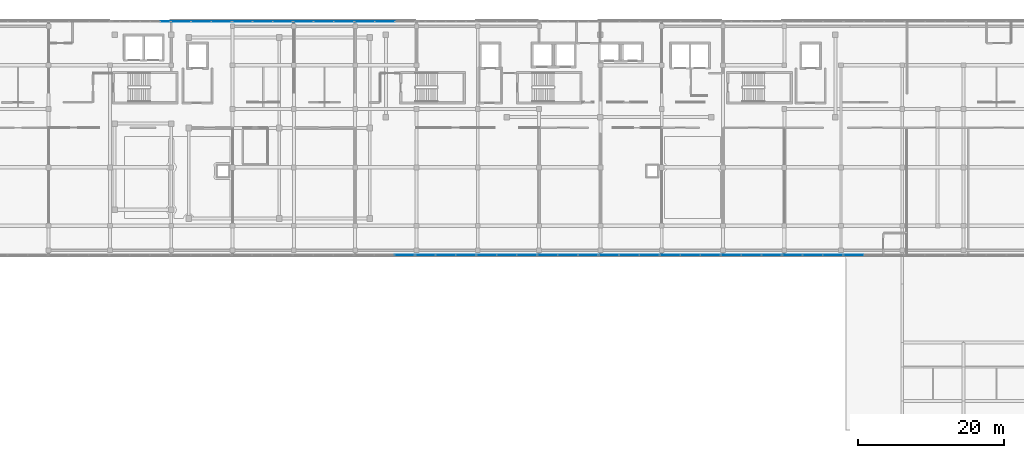
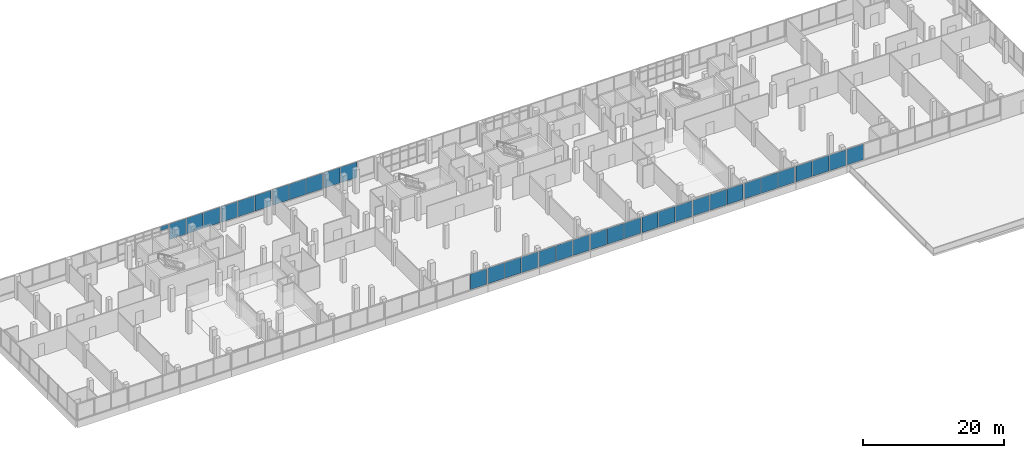
# One storey, part 62 of 76: 35 plates, 14 elements without a shape of their own.
"""IFC4 building model written with IfcOpenShell, lengths in metres."""

from ifc_helpers import new_model, si_unit, direction, frame, origin, origin_2d, place, context, subcontext, project, spatial, rectangle, extrude, material, layer, layer_set, type_object, element, aggregate, save


model = new_model("IFC4")

# Units and contexts
model_context = context("Model", 3, precision=1e-05, world=origin(), true_north=direction((0.0, 1.0)))
body_context = subcontext(model_context, "Body", "Model", "MODEL_VIEW")
ifc_project = project(units=[si_unit("LENGTHUNIT", "METRE"), si_unit("AREAUNIT", "SQUARE_METRE"), si_unit("VOLUMEUNIT", "CUBIC_METRE"), si_unit("PLANEANGLEUNIT", "RADIAN"), si_unit("MASSUNIT", "GRAM", prefix="KILO")], contexts=[model_context])

# Site, building, storey
site_placement = place(None, origin())
site = spatial("IfcSite", under=ifc_project, at=site_placement, CompositionType="ELEMENT")
building_placement = place(site_placement, origin())
building = spatial("IfcBuilding", under=site, at=building_placement, Name="Selatvlak General Hospital", CompositionType="ELEMENT")
storey_placement = place(building_placement, frame((0.0, 0.0, 27.300048828125)))
storey = spatial("IfcBuildingStorey", under=building, at=storey_placement, Name="L06", CompositionType="ELEMENT", Elevation=27.300048828125)

# Curtain wall, plate
ifc_material = material(Name="Solar-control Low-E double glazing", Category="glass")
curtain_wall_type_1 = type_object("IfcCurtainWallType", Name="CW-CW-04", PredefinedType="USERDEFINED", material=ifc_material)
curtain_wall_1_placement = place(storey_placement, origin())
curtain_wall_1 = element("IfcCurtainWall", 1, at=curtain_wall_1_placement, inside=storey, type_object=curtain_wall_type_1, Name="Glazed facade curtain wall CW-L06-0601", ObjectType="STICK GLAZING WALL", PredefinedType="USERDEFINED")
ifc_layer = layer(ifc_material, 0.028076171875, Name="Solar-control Low-E double glazing", Category="glass")
ifc_layer_set = layer_set([ifc_layer], Name="Solar-control Low-E double glazing")
plate_type = type_object("IfcPlateType", Name="CWP-01", PredefinedType="CURTAIN_PANEL", material=ifc_layer_set)
plate_1_placement = place(storey_placement, frame((55.589111328125, 119.9990234375, 3.0126953125), z_axis=(0.0, 0.0, 1.0), x_axis=(1.0, 0.0, 0.0)))
plate_1 = element("IfcPlate", 2, at=plate_1_placement, type_object=plate_type, Name="CW-04 panel 6.3", PredefinedType="CURTAIN_PANEL", context=body_context, shape_type="SweptSolid", body=[
    extrude(rectangle(XDim=1.2939453125, YDim=0.028076171875, at=origin_2d()), origin(), (0.0, 0.0, 1.0), 0.702392578125),
])
aggregate(curtain_wall_1, [plate_1])

# Curtain wall, plates
curtain_wall_type_2 = type_object("IfcCurtainWallType", Name="CW-CW-02", PredefinedType="USERDEFINED", material=ifc_material)
curtain_wall_2_placement = place(storey_placement, origin())
curtain_wall_2 = element("IfcCurtainWall", 3, at=curtain_wall_2_placement, inside=storey, type_object=curtain_wall_type_2, Name="Glazed facade curtain wall CW-L06-0602", ObjectType="UNITISED CURTAIN WALL", PredefinedType="USERDEFINED")
plate_2_placement = place(storey_placement, frame((57.738525390625, 119.9990234375, 1.0048828125), z_axis=(0.0, 0.0, 1.0), x_axis=(1.0, 0.0, 0.0)))
plate_2 = element("IfcPlate", 4, at=plate_2_placement, type_object=plate_type, Name="CW-02 panel 1.1", PredefinedType="CURTAIN_PANEL", context=body_context, shape_type="SweptSolid", body=[
    extrude(rectangle(XDim=2.68505859375, YDim=0.028076171875, at=origin_2d()), origin(), (0.0, 0.0, 1.0), 2.7099609375),
])
plate_3_placement = place(storey_placement, frame((60.5048828125, 119.9990234375, 1.0048828125), z_axis=(0.0, 0.0, 1.0), x_axis=(1.0, 0.0, 0.0)))
plate_3 = element("IfcPlate", 5, at=plate_3_placement, type_object=plate_type, Name="CW-02 panel 2.1", PredefinedType="CURTAIN_PANEL", context=body_context, shape_type="SweptSolid", body=[
    extrude(rectangle(XDim=2.7177734375, YDim=0.028076171875, at=origin_2d()), origin(), (0.0, 0.0, 1.0), 2.7099609375),
])
plate_4_placement = place(storey_placement, frame((63.271484375, 119.9990234375, 1.0048828125), z_axis=(0.0, 0.0, 1.0), x_axis=(1.0, 0.0, 0.0)))
plate_4 = element("IfcPlate", 6, at=plate_4_placement, type_object=plate_type, Name="CW-02 panel 3.1", PredefinedType="CURTAIN_PANEL", context=body_context, shape_type="SweptSolid", body=[
    extrude(rectangle(XDim=2.68505859375, YDim=0.028076171875, at=origin_2d()), origin(), (0.0, 0.0, 1.0), 2.7099609375),
])
aggregate(curtain_wall_2, [plate_2, plate_3, plate_4])

curtain_wall_type_3 = type_object("IfcCurtainWallType", Name="CW-CW-01", PredefinedType="USERDEFINED", material=ifc_material)
curtain_wall_3_placement = place(storey_placement, origin())
curtain_wall_3 = element("IfcCurtainWall", 7, at=curtain_wall_3_placement, inside=storey, type_object=curtain_wall_type_3, Name="Glazed facade curtain wall CW-L06-0603", ObjectType="UNITISED CURTAIN WALL", PredefinedType="USERDEFINED")
plate_5_placement = place(storey_placement, frame((66.158447265625, 119.9990234375, 1.0048828125), z_axis=(0.0, 0.0, 1.0), x_axis=(1.0, 0.0, 0.0)))
plate_5 = element("IfcPlate", 8, at=plate_5_placement, type_object=plate_type, Name="CW-01 panel 1.1", PredefinedType="CURTAIN_PANEL", context=body_context, shape_type="SweptSolid", body=[
    extrude(rectangle(XDim=2.6689453125, YDim=0.028076171875, at=origin_2d()), origin(), (0.0, 0.0, 1.0), 2.7099609375),
])
plate_6_placement = place(storey_placement, frame((68.908447265625, 119.9990234375, 1.0048828125), z_axis=(0.0, 0.0, 1.0), x_axis=(1.0, 0.0, 0.0)))
plate_6 = element("IfcPlate", 9, at=plate_6_placement, type_object=plate_type, Name="CW-01 panel 2.1", PredefinedType="CURTAIN_PANEL", context=body_context, shape_type="SweptSolid", body=[
    extrude(rectangle(XDim=2.701416015625, YDim=0.028076171875, at=origin_2d()), origin(), (0.0, 0.0, 1.0), 2.7099609375),
])
plate_7_placement = place(storey_placement, frame((71.65869140625, 119.9990234375, 1.0048828125), z_axis=(0.0, 0.0, 1.0), x_axis=(1.0, 0.0, 0.0)))
plate_7 = element("IfcPlate", 10, at=plate_7_placement, type_object=plate_type, Name="CW-01 panel 3.1", PredefinedType="CURTAIN_PANEL", context=body_context, shape_type="SweptSolid", body=[
    extrude(rectangle(XDim=2.6689453125, YDim=0.028076171875, at=origin_2d()), origin(), (0.0, 0.0, 1.0), 2.7099609375),
])
aggregate(curtain_wall_3, [plate_5, plate_6, plate_7])

curtain_wall_4_placement = place(storey_placement, origin())
curtain_wall_4 = element("IfcCurtainWall", 11, at=curtain_wall_4_placement, inside=storey, type_object=curtain_wall_type_2, Name="Glazed facade curtain wall CW-L06-0604", ObjectType="UNITISED CURTAIN WALL", PredefinedType="USERDEFINED")
plate_8_placement = place(storey_placement, frame((74.537353515625, 119.9990234375, 1.0048828125), z_axis=(0.0, 0.0, 1.0), x_axis=(1.0, 0.0, 0.0)))
plate_8 = element("IfcPlate", 12, at=plate_8_placement, type_object=plate_type, Name="CW-02 panel 1.1", PredefinedType="CURTAIN_PANEL", context=body_context, shape_type="SweptSolid", body=[
    extrude(rectangle(XDim=2.6689453125, YDim=0.028076171875, at=origin_2d()), origin(), (0.0, 0.0, 1.0), 2.7099609375),
])
plate_9_placement = place(storey_placement, frame((77.28759765625, 119.9990234375, 1.0048828125), z_axis=(0.0, 0.0, 1.0), x_axis=(1.0, 0.0, 0.0)))
plate_9 = element("IfcPlate", 13, at=plate_9_placement, type_object=plate_type, Name="CW-02 panel 2.1", PredefinedType="CURTAIN_PANEL", context=body_context, shape_type="SweptSolid", body=[
    extrude(rectangle(XDim=2.701416015625, YDim=0.028076171875, at=origin_2d()), origin(), (0.0, 0.0, 1.0), 2.7099609375),
])
plate_10_placement = place(storey_placement, frame((80.03759765625, 119.9990234375, 1.0048828125), z_axis=(0.0, 0.0, 1.0), x_axis=(1.0, 0.0, 0.0)))
plate_10 = element("IfcPlate", 14, at=plate_10_placement, type_object=plate_type, Name="CW-02 panel 3.1", PredefinedType="CURTAIN_PANEL", context=body_context, shape_type="SweptSolid", body=[
    extrude(rectangle(XDim=2.6689453125, YDim=0.028076171875, at=origin_2d()), origin(), (0.0, 0.0, 1.0), 2.7099609375),
])
aggregate(curtain_wall_4, [plate_8, plate_9, plate_10])

curtain_wall_5_placement = place(storey_placement, origin())
curtain_wall_5 = element("IfcCurtainWall", 15, at=curtain_wall_5_placement, inside=storey, type_object=curtain_wall_type_3, Name="Glazed facade curtain wall CW-L06-0605", ObjectType="UNITISED CURTAIN WALL", PredefinedType="USERDEFINED")
plate_11_placement = place(storey_placement, frame((82.91650390625, 119.9990234375, 1.0048828125), z_axis=(0.0, 0.0, 1.0), x_axis=(1.0, 0.0, 0.0)))
plate_11 = element("IfcPlate", 16, at=plate_11_placement, type_object=plate_type, Name="CW-01 panel 1.1", PredefinedType="CURTAIN_PANEL", context=body_context, shape_type="SweptSolid", body=[
    extrude(rectangle(XDim=2.6689453125, YDim=0.028076171875, at=origin_2d()), origin(), (0.0, 0.0, 1.0), 2.7099609375),
])
plate_12_placement = place(storey_placement, frame((85.66650390625, 119.9990234375, 1.0048828125), z_axis=(0.0, 0.0, 1.0), x_axis=(1.0, 0.0, 0.0)))
plate_12 = element("IfcPlate", 17, at=plate_12_placement, type_object=plate_type, Name="CW-01 panel 2.1", PredefinedType="CURTAIN_PANEL", context=body_context, shape_type="SweptSolid", body=[
    extrude(rectangle(XDim=2.701416015625, YDim=0.028076171875, at=origin_2d()), origin(), (0.0, 0.0, 1.0), 2.7099609375),
])
aggregate(curtain_wall_5, [plate_11, plate_12])

# Curtain wall, plate
curtain_wall_6_placement = place(storey_placement, origin())
curtain_wall_6 = element("IfcCurtainWall", 18, at=curtain_wall_6_placement, inside=storey, type_object=curtain_wall_type_3, Name="Glazed facade curtain wall CW-L06-0623", ObjectType="UNITISED CURTAIN WALL", PredefinedType="USERDEFINED")
plate_13_placement = place(storey_placement, frame((149.8984375, 88.0009765625, 1.0048828125), z_axis=(0.0, 0.0, 1.0), x_axis=(-1.0, 0.0, 0.0)))
plate_13 = element("IfcPlate", 19, at=plate_13_placement, type_object=plate_type, Name="CW-01 panel 3.1", PredefinedType="CURTAIN_PANEL", context=body_context, shape_type="SweptSolid", body=[
    extrude(rectangle(XDim=2.6689453125, YDim=0.028076171875, at=origin_2d()), origin(), (0.0, 0.0, 1.0), 2.7099609375),
])
aggregate(curtain_wall_6, [plate_13])

# Curtain wall, plates
curtain_wall_7_placement = place(storey_placement, origin())
curtain_wall_7 = element("IfcCurtainWall", 20, at=curtain_wall_7_placement, inside=storey, type_object=curtain_wall_type_2, Name="Glazed facade curtain wall CW-L06-0624", ObjectType="UNITISED CURTAIN WALL", PredefinedType="USERDEFINED")
plate_14_placement = place(storey_placement, frame((147.01953125, 88.0009765625, 1.0048828125), z_axis=(0.0, 0.0, 1.0), x_axis=(-1.0, 0.0, 0.0)))
plate_14 = element("IfcPlate", 21, at=plate_14_placement, type_object=plate_type, Name="CW-02 panel 1.1", PredefinedType="CURTAIN_PANEL", context=body_context, shape_type="SweptSolid", body=[
    extrude(rectangle(XDim=2.6689453125, YDim=0.028076171875, at=origin_2d()), origin(), (0.0, 0.0, 1.0), 2.7099609375),
])
plate_15_placement = place(storey_placement, frame((144.26953125, 88.0009765625, 1.0048828125), z_axis=(0.0, 0.0, 1.0), x_axis=(-1.0, 0.0, 0.0)))
plate_15 = element("IfcPlate", 22, at=plate_15_placement, type_object=plate_type, Name="CW-02 panel 2.1", PredefinedType="CURTAIN_PANEL", context=body_context, shape_type="SweptSolid", body=[
    extrude(rectangle(XDim=2.701416015625, YDim=0.028076171875, at=origin_2d()), origin(), (0.0, 0.0, 1.0), 2.7099609375),
])
plate_16_placement = place(storey_placement, frame((141.51953125, 88.0009765625, 1.0048828125), z_axis=(0.0, 0.0, 1.0), x_axis=(-1.0, 0.0, 0.0)))
plate_16 = element("IfcPlate", 23, at=plate_16_placement, type_object=plate_type, Name="CW-02 panel 3.1", PredefinedType="CURTAIN_PANEL", context=body_context, shape_type="SweptSolid", body=[
    extrude(rectangle(XDim=2.6689453125, YDim=0.028076171875, at=origin_2d()), origin(), (0.0, 0.0, 1.0), 2.7099609375),
])
aggregate(curtain_wall_7, [plate_14, plate_15, plate_16])

curtain_wall_8_placement = place(storey_placement, origin())
curtain_wall_8 = element("IfcCurtainWall", 24, at=curtain_wall_8_placement, inside=storey, type_object=curtain_wall_type_3, Name="Glazed facade curtain wall CW-L06-0625", ObjectType="UNITISED CURTAIN WALL", PredefinedType="USERDEFINED")
plate_17_placement = place(storey_placement, frame((138.640625, 88.0009765625, 1.0048828125), z_axis=(0.0, 0.0, 1.0), x_axis=(-1.0, 0.0, 0.0)))
plate_17 = element("IfcPlate", 25, at=plate_17_placement, type_object=plate_type, Name="CW-01 panel 1.1", PredefinedType="CURTAIN_PANEL", context=body_context, shape_type="SweptSolid", body=[
    extrude(rectangle(XDim=2.6689453125, YDim=0.028076171875, at=origin_2d()), origin(), (0.0, 0.0, 1.0), 2.7099609375),
])
plate_18_placement = place(storey_placement, frame((135.890380859375, 88.0009765625, 1.0048828125), z_axis=(0.0, 0.0, 1.0), x_axis=(-1.0, 0.0, 0.0)))
plate_18 = element("IfcPlate", 26, at=plate_18_placement, type_object=plate_type, Name="CW-01 panel 2.1", PredefinedType="CURTAIN_PANEL", context=body_context, shape_type="SweptSolid", body=[
    extrude(rectangle(XDim=2.701416015625, YDim=0.028076171875, at=origin_2d()), origin(), (0.0, 0.0, 1.0), 2.7099609375),
])
plate_19_placement = place(storey_placement, frame((133.140380859375, 88.0009765625, 1.0048828125), z_axis=(0.0, 0.0, 1.0), x_axis=(-1.0, 0.0, 0.0)))
plate_19 = element("IfcPlate", 27, at=plate_19_placement, type_object=plate_type, Name="CW-01 panel 3.1", PredefinedType="CURTAIN_PANEL", context=body_context, shape_type="SweptSolid", body=[
    extrude(rectangle(XDim=2.6689453125, YDim=0.028076171875, at=origin_2d()), origin(), (0.0, 0.0, 1.0), 2.7099609375),
])
aggregate(curtain_wall_8, [plate_17, plate_18, plate_19])

curtain_wall_9_placement = place(storey_placement, origin())
curtain_wall_9 = element("IfcCurtainWall", 28, at=curtain_wall_9_placement, inside=storey, type_object=curtain_wall_type_2, Name="Glazed facade curtain wall CW-L06-0626", ObjectType="UNITISED CURTAIN WALL", PredefinedType="USERDEFINED")
plate_20_placement = place(storey_placement, frame((130.261474609375, 88.0009765625, 1.0048828125), z_axis=(0.0, 0.0, 1.0), x_axis=(-1.0, 0.0, 0.0)))
plate_20 = element("IfcPlate", 29, at=plate_20_placement, type_object=plate_type, Name="CW-02 panel 1.1", PredefinedType="CURTAIN_PANEL", context=body_context, shape_type="SweptSolid", body=[
    extrude(rectangle(XDim=2.6689453125, YDim=0.028076171875, at=origin_2d()), origin(), (0.0, 0.0, 1.0), 2.7099609375),
])
plate_21_placement = place(storey_placement, frame((127.511474609375, 88.0009765625, 1.0048828125), z_axis=(0.0, 0.0, 1.0), x_axis=(-1.0, 0.0, 0.0)))
plate_21 = element("IfcPlate", 30, at=plate_21_placement, type_object=plate_type, Name="CW-02 panel 2.1", PredefinedType="CURTAIN_PANEL", context=body_context, shape_type="SweptSolid", body=[
    extrude(rectangle(XDim=2.701416015625, YDim=0.028076171875, at=origin_2d()), origin(), (0.0, 0.0, 1.0), 2.7099609375),
])
plate_22_placement = place(storey_placement, frame((124.761474609375, 88.0009765625, 1.0048828125), z_axis=(0.0, 0.0, 1.0), x_axis=(-1.0, 0.0, 0.0)))
plate_22 = element("IfcPlate", 31, at=plate_22_placement, type_object=plate_type, Name="CW-02 panel 3.1", PredefinedType="CURTAIN_PANEL", context=body_context, shape_type="SweptSolid", body=[
    extrude(rectangle(XDim=2.6689453125, YDim=0.028076171875, at=origin_2d()), origin(), (0.0, 0.0, 1.0), 2.7099609375),
])
aggregate(curtain_wall_9, [plate_20, plate_21, plate_22])

curtain_wall_10_placement = place(storey_placement, origin())
curtain_wall_10 = element("IfcCurtainWall", 32, at=curtain_wall_10_placement, inside=storey, type_object=curtain_wall_type_3, Name="Glazed facade curtain wall CW-L06-0627", ObjectType="UNITISED CURTAIN WALL", PredefinedType="USERDEFINED")
plate_23_placement = place(storey_placement, frame((121.882568359375, 88.0009765625, 1.0048828125), z_axis=(0.0, 0.0, 1.0), x_axis=(-1.0, 0.0, 0.0)))
plate_23 = element("IfcPlate", 33, at=plate_23_placement, type_object=plate_type, Name="CW-01 panel 1.1", PredefinedType="CURTAIN_PANEL", context=body_context, shape_type="SweptSolid", body=[
    extrude(rectangle(XDim=2.6689453125, YDim=0.028076171875, at=origin_2d()), origin(), (0.0, 0.0, 1.0), 2.7099609375),
])
plate_24_placement = place(storey_placement, frame((119.132568359375, 88.0009765625, 1.0048828125), z_axis=(0.0, 0.0, 1.0), x_axis=(-1.0, 0.0, 0.0)))
plate_24 = element("IfcPlate", 34, at=plate_24_placement, type_object=plate_type, Name="CW-01 panel 2.1", PredefinedType="CURTAIN_PANEL", context=body_context, shape_type="SweptSolid", body=[
    extrude(rectangle(XDim=2.701416015625, YDim=0.028076171875, at=origin_2d()), origin(), (0.0, 0.0, 1.0), 2.7099609375),
])
plate_25_placement = place(storey_placement, frame((116.38232421875, 88.0009765625, 1.0048828125), z_axis=(0.0, 0.0, 1.0), x_axis=(-1.0, 0.0, 0.0)))
plate_25 = element("IfcPlate", 35, at=plate_25_placement, type_object=plate_type, Name="CW-01 panel 3.1", PredefinedType="CURTAIN_PANEL", context=body_context, shape_type="SweptSolid", body=[
    extrude(rectangle(XDim=2.6689453125, YDim=0.028076171875, at=origin_2d()), origin(), (0.0, 0.0, 1.0), 2.7099609375),
])
aggregate(curtain_wall_10, [plate_23, plate_24, plate_25])

curtain_wall_11_placement = place(storey_placement, origin())
curtain_wall_11 = element("IfcCurtainWall", 36, at=curtain_wall_11_placement, inside=storey, type_object=curtain_wall_type_2, Name="Glazed facade curtain wall CW-L06-0628", ObjectType="UNITISED CURTAIN WALL", PredefinedType="USERDEFINED")
plate_26_placement = place(storey_placement, frame((113.503662109375, 88.0009765625, 1.0048828125), z_axis=(0.0, 0.0, 1.0), x_axis=(-1.0, 0.0, 0.0)))
plate_26 = element("IfcPlate", 37, at=plate_26_placement, type_object=plate_type, Name="CW-02 panel 1.1", PredefinedType="CURTAIN_PANEL", context=body_context, shape_type="SweptSolid", body=[
    extrude(rectangle(XDim=2.6689453125, YDim=0.028076171875, at=origin_2d()), origin(), (0.0, 0.0, 1.0), 2.7099609375),
])
plate_27_placement = place(storey_placement, frame((110.75341796875, 88.0009765625, 1.0048828125), z_axis=(0.0, 0.0, 1.0), x_axis=(-1.0, 0.0, 0.0)))
plate_27 = element("IfcPlate", 38, at=plate_27_placement, type_object=plate_type, Name="CW-02 panel 2.1", PredefinedType="CURTAIN_PANEL", context=body_context, shape_type="SweptSolid", body=[
    extrude(rectangle(XDim=2.701416015625, YDim=0.028076171875, at=origin_2d()), origin(), (0.0, 0.0, 1.0), 2.7099609375),
])
plate_28_placement = place(storey_placement, frame((108.00341796875, 88.0009765625, 1.0048828125), z_axis=(0.0, 0.0, 1.0), x_axis=(-1.0, 0.0, 0.0)))
plate_28 = element("IfcPlate", 39, at=plate_28_placement, type_object=plate_type, Name="CW-02 panel 3.1", PredefinedType="CURTAIN_PANEL", context=body_context, shape_type="SweptSolid", body=[
    extrude(rectangle(XDim=2.6689453125, YDim=0.028076171875, at=origin_2d()), origin(), (0.0, 0.0, 1.0), 2.7099609375),
])
aggregate(curtain_wall_11, [plate_26, plate_27, plate_28])

curtain_wall_12_placement = place(storey_placement, origin())
curtain_wall_12 = element("IfcCurtainWall", 40, at=curtain_wall_12_placement, inside=storey, type_object=curtain_wall_type_3, Name="Glazed facade curtain wall CW-L06-0629", ObjectType="UNITISED CURTAIN WALL", PredefinedType="USERDEFINED")
plate_29_placement = place(storey_placement, frame((105.124755859375, 88.000732421875, 1.0048828125), z_axis=(0.0, 0.0, 1.0), x_axis=(-0.999999992739, -0.00012051097, 0.0)))
plate_29 = element("IfcPlate", 41, at=plate_29_placement, type_object=plate_type, Name="CW-01 panel 1.1", PredefinedType="CURTAIN_PANEL", context=body_context, shape_type="SweptSolid", body=[
    extrude(rectangle(XDim=2.66845703125, YDim=0.028076171875, at=origin_2d()), origin(), (0.0, 0.0, 1.0), 2.7099609375),
])
plate_30_placement = place(storey_placement, frame((102.375, 88.00048828125, 1.0048828125), z_axis=(0.0, 0.0, 1.0), x_axis=(-0.999999992739, -0.00012051097, 0.0)))
plate_30 = element("IfcPlate", 42, at=plate_30_placement, type_object=plate_type, Name="CW-01 panel 2.1", PredefinedType="CURTAIN_PANEL", context=body_context, shape_type="SweptSolid", body=[
    extrude(rectangle(XDim=2.700927734375, YDim=0.028076171875, at=origin_2d()), origin(), (0.0, 0.0, 1.0), 2.7099609375),
])
plate_31_placement = place(storey_placement, frame((99.625244140625, 88.000244140625, 1.0048828125), z_axis=(0.0, 0.0, 1.0), x_axis=(-0.999999992739, -0.00012051097, 0.0)))
plate_31 = element("IfcPlate", 43, at=plate_31_placement, type_object=plate_type, Name="CW-01 panel 3.1", PredefinedType="CURTAIN_PANEL", context=body_context, shape_type="SweptSolid", body=[
    extrude(rectangle(XDim=2.66845703125, YDim=0.028076171875, at=origin_2d()), origin(), (0.0, 0.0, 1.0), 2.7099609375),
])
aggregate(curtain_wall_12, [plate_29, plate_30, plate_31])

curtain_wall_13_placement = place(storey_placement, origin())
curtain_wall_13 = element("IfcCurtainWall", 44, at=curtain_wall_13_placement, inside=storey, type_object=curtain_wall_type_2, Name="Glazed facade curtain wall CW-L06-0630", ObjectType="UNITISED CURTAIN WALL", PredefinedType="USERDEFINED")
plate_32_placement = place(storey_placement, frame((96.74658203125, 88.0, 1.0048828125), z_axis=(0.0, 0.0, 1.0), x_axis=(-1.0, 0.0, 0.0)))
plate_32 = element("IfcPlate", 45, at=plate_32_placement, type_object=plate_type, Name="CW-02 panel 1.1", PredefinedType="CURTAIN_PANEL", context=body_context, shape_type="SweptSolid", body=[
    extrude(rectangle(XDim=2.6689453125, YDim=0.028076171875, at=origin_2d()), origin(), (0.0, 0.0, 1.0), 2.7099609375),
])
plate_33_placement = place(storey_placement, frame((93.99658203125, 88.0, 1.0048828125), z_axis=(0.0, 0.0, 1.0), x_axis=(-1.0, 0.0, 0.0)))
plate_33 = element("IfcPlate", 46, at=plate_33_placement, type_object=plate_type, Name="CW-02 panel 2.1", PredefinedType="CURTAIN_PANEL", context=body_context, shape_type="SweptSolid", body=[
    extrude(rectangle(XDim=2.701416015625, YDim=0.028076171875, at=origin_2d()), origin(), (0.0, 0.0, 1.0), 2.7099609375),
])
plate_34_placement = place(storey_placement, frame((91.246337890625, 88.0, 1.0048828125), z_axis=(0.0, 0.0, 1.0), x_axis=(-1.0, 0.0, 0.0)))
plate_34 = element("IfcPlate", 47, at=plate_34_placement, type_object=plate_type, Name="CW-02 panel 3.1", PredefinedType="CURTAIN_PANEL", context=body_context, shape_type="SweptSolid", body=[
    extrude(rectangle(XDim=2.6689453125, YDim=0.028076171875, at=origin_2d()), origin(), (0.0, 0.0, 1.0), 2.7099609375),
])
aggregate(curtain_wall_13, [plate_32, plate_33, plate_34])

# Curtain wall, plate
curtain_wall_14_placement = place(storey_placement, origin())
curtain_wall_14 = element("IfcCurtainWall", 48, at=curtain_wall_14_placement, inside=storey, type_object=curtain_wall_type_3, Name="Glazed facade curtain wall CW-L06-0631", ObjectType="UNITISED CURTAIN WALL", PredefinedType="USERDEFINED")
plate_35_placement = place(storey_placement, frame((88.36767578125, 88.0, 1.0048828125), z_axis=(0.0, 0.0, 1.0), x_axis=(-1.0, 0.0, 0.0)))
plate_35 = element("IfcPlate", 49, at=plate_35_placement, type_object=plate_type, Name="CW-01 panel 1.1", PredefinedType="CURTAIN_PANEL", context=body_context, shape_type="SweptSolid", body=[
    extrude(rectangle(XDim=2.6689453125, YDim=0.028076171875, at=origin_2d()), origin(), (0.0, 0.0, 1.0), 2.7099609375),
])
aggregate(curtain_wall_14, [plate_35])

save(model, "model.ifc")
